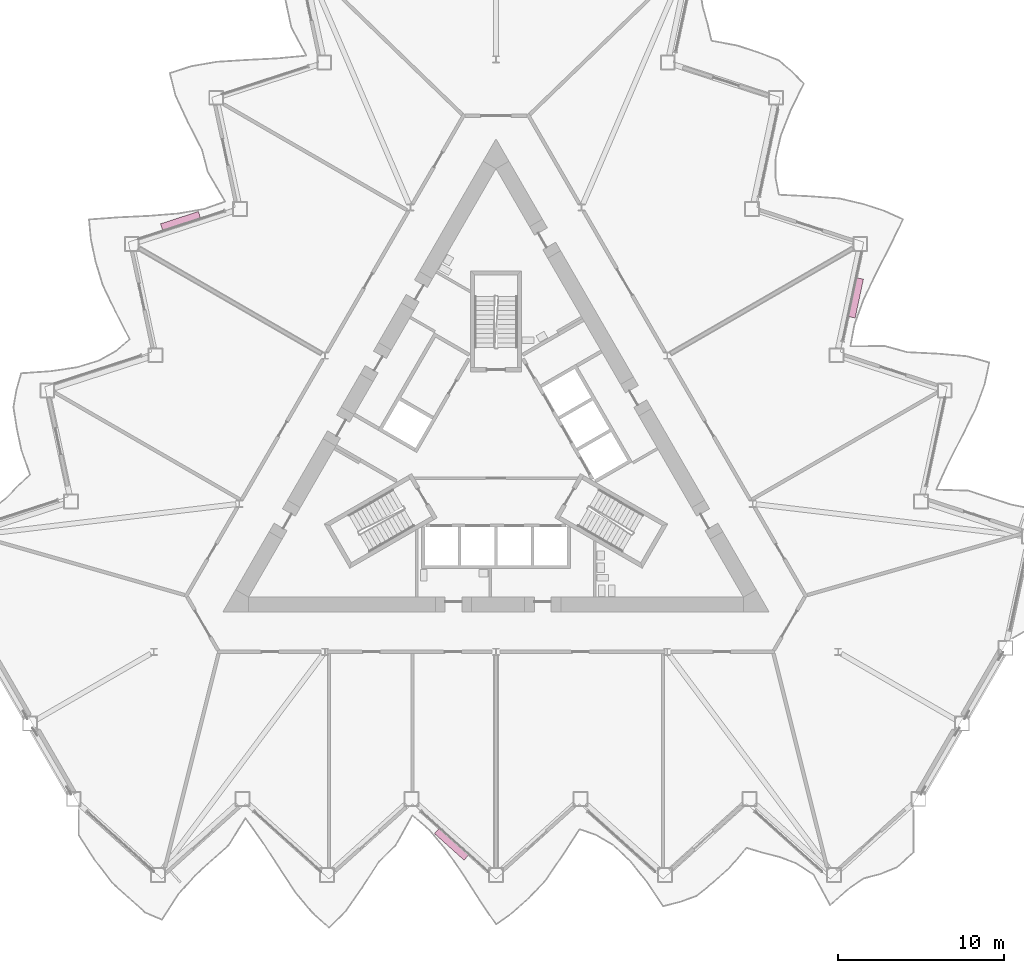
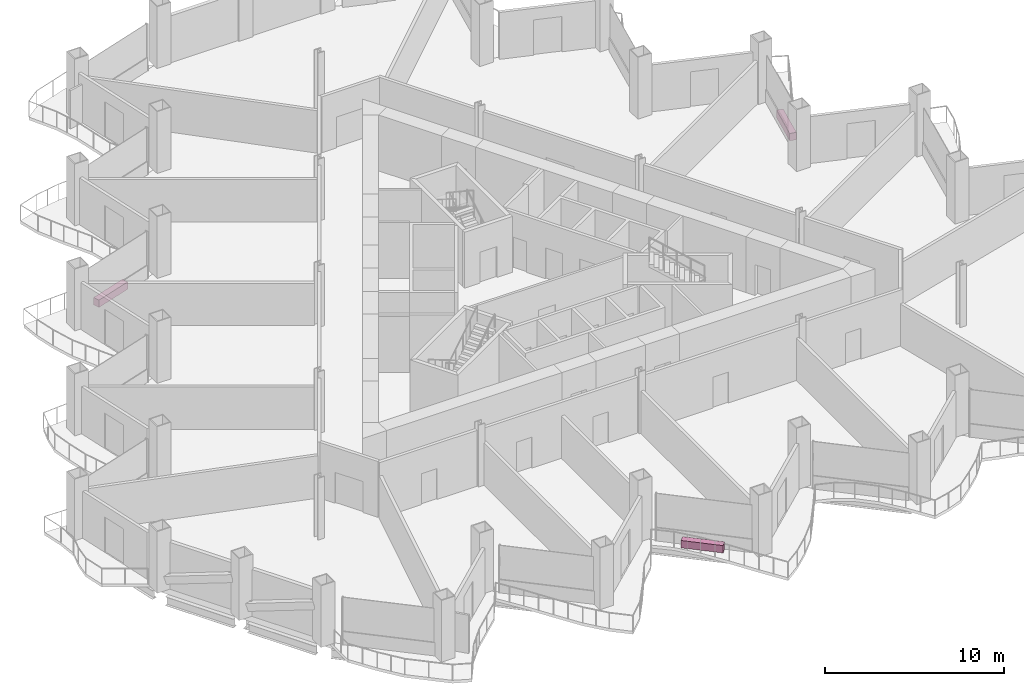
# One storey, part 21 of 21: 3 furniture elements.
"""IFC4 building model written with IfcOpenShell, lengths in metres."""

from ifc_helpers import new_model, si_unit, direction, frame, origin, origin_2d, place, context, subcontext, project, spatial, rectangle, extrude, material, type_object, element, save


model = new_model("IFC4")

# Units and contexts
model_context = context("Model", 3, precision=1e-05, world=origin(), true_north=direction((0.0, 1.0)))
body_context = subcontext(model_context, "Body", "Model", "MODEL_VIEW")
ifc_project = project(units=[si_unit("LENGTHUNIT", "METRE"), si_unit("AREAUNIT", "SQUARE_METRE"), si_unit("VOLUMEUNIT", "CUBIC_METRE"), si_unit("PLANEANGLEUNIT", "RADIAN"), si_unit("MASSUNIT", "GRAM", prefix="KILO")], contexts=[model_context])

# Site, building, storey
site_placement = place(None, origin())
site = spatial("IfcSite", under=ifc_project, at=site_placement, CompositionType="ELEMENT")
building_placement = place(site_placement, origin())
building = spatial("IfcBuilding", under=site, at=building_placement, Name="Cormorant Prow Tower", CompositionType="ELEMENT")
storey_placement = place(building_placement, frame((0.0, 0.0, 129.0)))
storey = spatial("IfcBuildingStorey", under=building, at=storey_placement, Name="L27", CompositionType="ELEMENT", Elevation=129.0)

# Furniture
ifc_material = material(Name="Terracotta", Category="masonry")
furniture_type = type_object("IfcFurnitureType", Name="Balcony planter 2400x400x500", AssemblyPlace="NOTDEFINED", PredefinedType="USERDEFINED", material=ifc_material)
for number, where, z_axis, x_axis, name in (
    (1, (-2.68896484375, -23.55224609375, 0.0), (0.0, 0.0, 1.0), (0.743144807376, -0.669130626463, 0.0), "Balcony planter S04"),
    (2, (21.741455078125, 9.447509765625, 0.0), (0.0, 0.0, 1.0), (0.207911666798, 0.978147605839, 0.0), "Balcony planter ENE04"),
    (3, (-19.052490234375, 14.10498046875, 0.0), (0.0, 0.0, 1.0), (-0.95105653418, -0.309016939332, 0.0), "Balcony planter WNW04"),
):
    element("IfcFurniture", number, at=place(storey_placement, frame(where, z_axis=z_axis, x_axis=x_axis)), inside=storey, type_object=furniture_type, Name=name, ObjectType="PLANTER", PredefinedType="USERDEFINED", context=body_context, shape_type="SweptSolid", body=[
        extrude(rectangle(XDim=2.39990234375, YDim=0.39990234375, at=origin_2d()), origin(), (0.0, 0.0, 1.0), 0.5),
    ])

save(model, "model.ifc")
